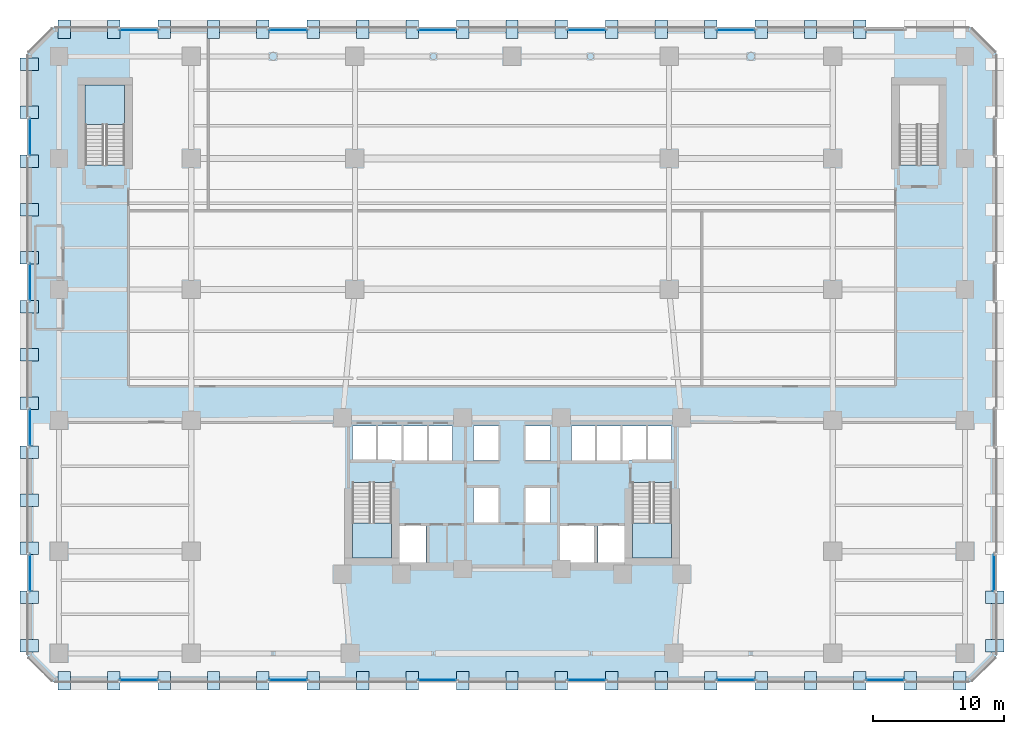
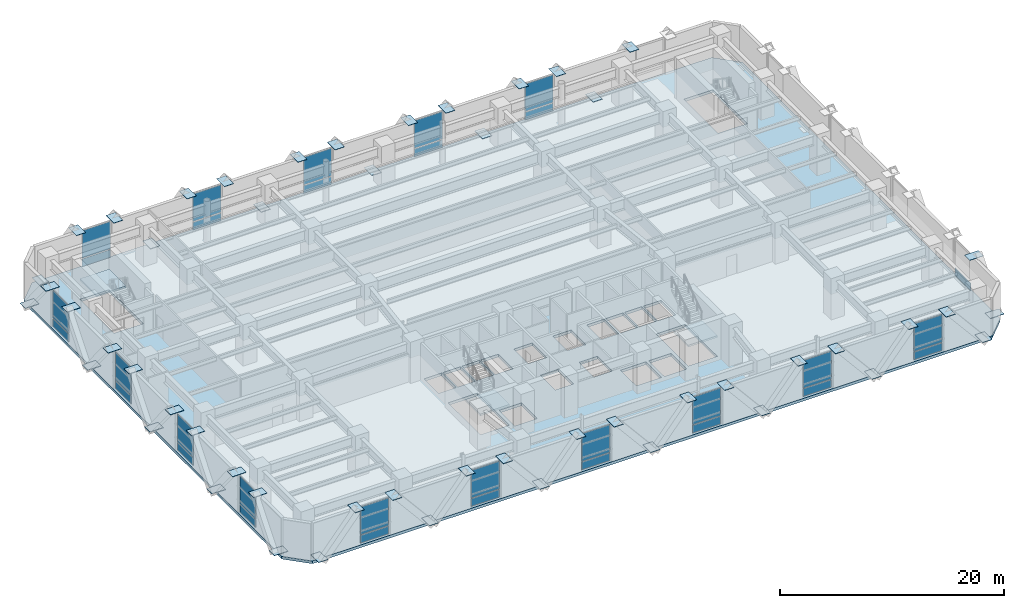
# One storey, part 12 of 26: 82 plates, 4 slabs, 19 elements without a shape of their own.
"""IFC4 building model written with IfcOpenShell, lengths in metres."""

import ifcopenshell
import ifcopenshell.guid

model = None  # the IFC model being written
_history = None  # IfcOwnerHistory: only IFC2X3 demands one
_inside = {}  # id of a spatial element -> (the spatial element, [elements in it])
_under = {}  # id of a project, library or spatial element -> (it, [spatial elements below it])
_declared = {}  # id of a project -> (the project, [libraries it declares])
_typed = {}  # id of a type object -> (the type object, [elements of that type])
_made_of = {}  # id of a material, layer set ... -> (it, [elements and type objects made of it])


def new_model(schema):
    """Start an empty IFC model of exactly this schema.

    Asked for "IFC4X3", IfcOpenShell would pick the latest addendum, in which some entities
    have other attributes; the version numbers below select the first issue.
    IFC2X3 requires an IfcOwnerHistory on every rooted entity: one is made here for all.
    """
    global model, _history
    if schema == "IFC4X3":
        model = ifcopenshell.file(schema_version=(4, 3, 0, 0))
    else:
        model = ifcopenshell.file(schema=schema)
    _inside.clear()
    _under.clear()
    _declared.clear()
    _typed.clear()
    _made_of.clear()
    _history = None
    if model.schema == "IFC2X3":
        org = make("IfcOrganization", Name="unknown")
        user = make(
            "IfcPersonAndOrganization",
            ThePerson=make("IfcPerson", FamilyName="unknown"),
            TheOrganization=org,
        )
        app = make(
            "IfcApplication",
            ApplicationDeveloper=org,
            Version="unknown",
            ApplicationFullName="unknown",
            ApplicationIdentifier="unknown",
        )
        _history = make(
            "IfcOwnerHistory",
            OwningUser=user,
            OwningApplication=app,
            ChangeAction="ADDED",
            CreationDate=0,
        )
    return model


def make(cls, **values):
    """One entity of the class cls with the attributes given. An attribute that is None is left unset."""
    return model.create_entity(
        cls, **{name: value for name, value in values.items() if value is not None}
    )


def rooted(cls, **values):
    """An entity with a GlobalId (a new one), such as an element, a storey or a relation."""
    return make(cls, GlobalId=ifcopenshell.guid.new(), OwnerHistory=_history, **values)


def si_unit(unit_type, name, prefix=None):
    """IfcSIUnit, for example si_unit("LENGTHUNIT", "METRE", prefix="MILLI")."""
    return make("IfcSIUnit", UnitType=unit_type, Prefix=prefix, Name=name)


def assignment(units):
    """IfcUnitAssignment: the units of a project."""
    return None if units is None else make("IfcUnitAssignment", Units=units)


def point(xyz):
    """IfcCartesianPoint."""
    return None if xyz is None else make("IfcCartesianPoint", Coordinates=xyz)


def direction(xyz):
    """IfcDirection."""
    return None if xyz is None else make("IfcDirection", DirectionRatios=xyz)


def frame(location, z_axis=None, x_axis=None):
    """IfcAxis2Placement3D, a coordinate frame: its origin and axes. An axis left out is left unset."""
    return make(
        "IfcAxis2Placement3D",
        Location=point(location),
        Axis=direction(z_axis),
        RefDirection=direction(x_axis),
    )


def frame_2d(location, x_axis=None):
    """IfcAxis2Placement2D, a coordinate frame in the plane: its origin and x axis."""
    return make(
        "IfcAxis2Placement2D", Location=point(location), RefDirection=direction(x_axis)
    )


def origin():
    """The frame at (0, 0, 0) with its axes left unset."""
    return frame((0.0, 0.0, 0.0))


def origin_2d():
    """The frame at (0, 0) in the plane with its x axis left unset."""
    return frame_2d((0.0, 0.0))


def place(relative_to, where):
    """IfcLocalPlacement: puts the frame where relative to a parent placement (None: the world)."""
    return make(
        "IfcLocalPlacement", PlacementRelTo=relative_to, RelativePlacement=where
    )


def context(
    kind, dimensions, precision=None, world=None, true_north=None, identifier=None
):
    """IfcGeometricRepresentationContext, for example the 3D "Model" context."""
    return make(
        "IfcGeometricRepresentationContext",
        ContextIdentifier=identifier,
        ContextType=kind,
        CoordinateSpaceDimension=dimensions,
        Precision=precision,
        WorldCoordinateSystem=world,
        TrueNorth=true_north,
    )


def subcontext(parent, identifier, kind, view, scale=None):
    """IfcGeometricRepresentationSubContext, for example "Body" below "Model"."""
    return make(
        "IfcGeometricRepresentationSubContext",
        ContextIdentifier=identifier,
        ContextType=kind,
        ParentContext=parent,
        TargetScale=scale,
        TargetView=view,
    )


def project(units=None, contexts=None):
    """IfcProject with its units and contexts."""
    return rooted(
        "IfcProject",
        Name="project",
        RepresentationContexts=contexts,
        UnitsInContext=assignment(units),
    )


def spatial(cls, under=None, at=None, **own):
    """A site, building, storey or space (cls), placed at a placement, below another one or the project."""
    s = rooted(cls, ObjectPlacement=at, **own)
    if under is not None:
        _under.setdefault(under.id(), (under, []))[1].append(s)
    return s


def polyline(points):
    """IfcPolyline through the points."""
    return make("IfcPolyline", Points=[point(p) for p in points])


def profile(cls, at=None, kind="AREA", **sizes):
    """A parametric profile (cls). Its sizes go by their IFC names, for example OverallWidth=200.0."""
    return make(cls, ProfileType=kind, Position=at, **sizes)


def rectangle(**sizes):
    """IfcRectangleProfileDef."""
    return profile("IfcRectangleProfileDef", **sizes)


def outline(outer, holes=None, kind="AREA"):
    """IfcArbitraryClosedProfileDef: a profile drawn as a closed curve; with holes, ...WithVoids."""
    if holes is None:
        return make("IfcArbitraryClosedProfileDef", ProfileType=kind, OuterCurve=outer)
    return make(
        "IfcArbitraryProfileDefWithVoids",
        ProfileType=kind,
        OuterCurve=outer,
        InnerCurves=holes,
    )


def extrude(swept, where, along, depth):
    """IfcExtrudedAreaSolid: the profile swept, set in the frame where, extruded along a direction by depth."""
    return make(
        "IfcExtrudedAreaSolid",
        SweptArea=swept,
        Position=where,
        ExtrudedDirection=direction(along),
        Depth=depth,
    )


def shape(context_of_items, identifier, shape_type, items):
    """IfcShapeRepresentation: the items that make up one representation, for example the "Body"."""
    return make(
        "IfcShapeRepresentation",
        ContextOfItems=context_of_items,
        RepresentationIdentifier=identifier,
        RepresentationType=shape_type,
        Items=items,
    )


def material(Name=None, Category=None):
    """IfcMaterial."""
    return make("IfcMaterial", Name=Name, Category=Category)


def layer(
    of_material, thickness, ventilated=None, Name=None, Category=None, Priority=None
):
    """IfcMaterialLayer: one layer of a wall or slab, of a material (None: an air gap)."""
    return make(
        "IfcMaterialLayer",
        Material=of_material,
        LayerThickness=thickness,
        IsVentilated=ventilated,
        Name=Name,
        Category=Category,
        Priority=Priority,
    )


def layer_set(layers, Name=None):
    """IfcMaterialLayerSet."""
    return make("IfcMaterialLayerSet", MaterialLayers=layers, LayerSetName=Name)


def made_of(thing, what):
    """Note that an element or type object is made of a material, layer set ...; save() writes the relation."""
    if what is not None:
        _made_of.setdefault(what.id(), (what, []))[1].append(thing)
    return thing


def type_object(cls, material=None, **own):
    """A type object (cls), such as IfcWallType, which elements share."""
    return made_of(rooted(cls, **own), material)


def element(
    cls,
    number,
    at=None,
    inside=None,
    cuts=None,
    type_object=None,
    material=None,
    context=None,
    identifier="Body",
    shape_type=None,
    held_by="IfcProductDefinitionShape",
    body=None,
    shapes=None,
    **own,
):
    """One element of the class cls, such as IfcWall. Its Tag is "e" and its number.

    at: its placement. inside: the storey or other place that contains it. cuts: it is an
    opening in that element (IfcRelVoidsElement). A single representation is given by context,
    identifier, shape_type and body (its items); several are given by shapes. held_by: the class
    of the entity that holds the representations. save() writes the other relations.
    """
    e = rooted(cls, Tag="e%d" % number, ObjectPlacement=at, **own)
    if body is not None:
        shapes = [shape(context, identifier, shape_type, body)]
    if shapes is not None:
        e.Representation = make(held_by, Representations=shapes)
    if inside is not None:
        _inside.setdefault(inside.id(), (inside, []))[1].append(e)
    if cuts is not None:
        rooted(
            "IfcRelVoidsElement", RelatingBuildingElement=cuts, RelatedOpeningElement=e
        )
    if type_object is not None:
        _typed.setdefault(type_object.id(), (type_object, []))[1].append(e)
    return made_of(e, material)


def aggregate(whole, parts):
    """IfcRelAggregates: a whole, such as a stair, and the parts it consists of."""
    return rooted("IfcRelAggregates", RelatingObject=whole, RelatedObjects=parts)


def save(model, path):
    """Write the relations noted so far, then the file.

    IfcRelAggregates (storeys below a building ...), IfcRelContainedInSpatialStructure (elements
    in a storey), IfcRelDefinesByType, IfcRelAssociatesMaterial and IfcRelDeclares: one each for
    every whole, place, type object, material and project.
    """
    for whole, parts in _under.values():
        aggregate(whole, parts)
    for where, things in _inside.values():
        rooted(
            "IfcRelContainedInSpatialStructure",
            RelatedElements=things,
            RelatingStructure=where,
        )
    for kind, things in _typed.values():
        rooted("IfcRelDefinesByType", RelatedObjects=things, RelatingType=kind)
    for what, things in _made_of.values():
        rooted("IfcRelAssociatesMaterial", RelatedObjects=things, RelatingMaterial=what)
    for by, libraries in _declared.values():
        rooted("IfcRelDeclares", RelatingContext=by, RelatedDefinitions=libraries)
    model.write(path)


model = new_model("IFC4")

# Units and contexts
model_context = context("Model", 3, precision=1e-05, world=origin(), true_north=direction((0.0, 1.0)))
body_context = subcontext(model_context, "Body", "Model", "MODEL_VIEW")
ifc_project = project(units=[si_unit("LENGTHUNIT", "METRE"), si_unit("AREAUNIT", "SQUARE_METRE"), si_unit("VOLUMEUNIT", "CUBIC_METRE"), si_unit("PLANEANGLEUNIT", "RADIAN"), si_unit("MASSUNIT", "GRAM", prefix="KILO")], contexts=[model_context])

# Site, building, storey
site_placement = place(None, origin())
site = spatial("IfcSite", under=ifc_project, at=site_placement, CompositionType="ELEMENT")
building_placement = place(site_placement, origin())
building = spatial("IfcBuilding", under=site, at=building_placement, Name="Quenlor Broadcast Tower", CompositionType="ELEMENT")
storey_placement = place(building_placement, frame((0.0, 0.0, 18.5)))
storey = spatial("IfcBuildingStorey", under=building, at=storey_placement, Name="L04", CompositionType="ELEMENT", Elevation=18.5)

# Curtain wall, plates
ifc_material_1 = material(Name="Architectural Terracotta and Low-E Glazing", Category="masonry")
curtain_wall_type = type_object("IfcCurtainWallType", Name="Station Concourse and Crown Terracotta Curtain Wall", PredefinedType="NOTDEFINED", material=ifc_material_1)
curtain_wall_1_placement = place(storey_placement, origin())
curtain_wall_1 = element("IfcCurtainWall", 1, at=curtain_wall_1_placement, inside=storey, type_object=curtain_wall_type, Name="L04 Curtain Wall CW6 (L04-S-FULL-G1)", PredefinedType="NOTDEFINED")
ifc_material_2 = material(Name="Double Glazed Low-E Solar Glass", Category="glass")
ifc_layer_1 = layer(ifc_material_2, 0.033935546875)
ifc_layer_set_1 = layer_set([ifc_layer_1], Name="CW6 Double Glazed Vision Panel 34")
plate_type_1 = type_object("IfcPlateType", Name="CW6 Double Glazed Vision Panel 34", PredefinedType="CURTAIN_PANEL", material=ifc_layer_set_1)
plate_1_placement = place(storey_placement, frame((28.5, -24.820068359375, 0.08203125), z_axis=(0.0, 0.0, 1.0), x_axis=(-1.0, 0.0, 0.0)))
plate_1 = element("IfcPlate", 2, at=plate_1_placement, type_object=plate_type_1, Name="CW6 panel 1.1", PredefinedType="CURTAIN_PANEL", context=body_context, shape_type="SweptSolid", body=[
    extrude(rectangle(XDim=2.90576171875, YDim=0.033935546875, at=origin_2d()), origin(), (0.0, 0.0, 1.0), 0.826904296875),
])
plate_2_placement = place(storey_placement, frame((28.5, -24.820068359375, 0.99072265625), z_axis=(0.0, 0.0, 1.0), x_axis=(-1.0, 0.0, 0.0)))
plate_2 = element("IfcPlate", 3, at=plate_2_placement, type_object=plate_type_1, Name="CW6 panel 1.2", PredefinedType="CURTAIN_PANEL", context=body_context, shape_type="SweptSolid", body=[
    extrude(rectangle(XDim=2.90576171875, YDim=0.033935546875, at=origin_2d()), origin(), (0.0, 0.0, 1.0), 3.007080078125),
])
aggregate(curtain_wall_1, [plate_1, plate_2])

curtain_wall_2_placement = place(storey_placement, origin())
curtain_wall_2 = element("IfcCurtainWall", 4, at=curtain_wall_2_placement, inside=storey, type_object=curtain_wall_type, Name="L04 Curtain Wall CW6 (L04-S-FULL-G2)", PredefinedType="NOTDEFINED")
plate_3_placement = place(storey_placement, frame((17.10009765625, -24.820068359375, 0.08203125), z_axis=(0.0, 0.0, 1.0), x_axis=(-1.0, 0.0, 0.0)))
plate_3 = element("IfcPlate", 5, at=plate_3_placement, type_object=plate_type_1, Name="CW6 panel 1.1", PredefinedType="CURTAIN_PANEL", context=body_context, shape_type="SweptSolid", body=[
    extrude(rectangle(XDim=2.90576171875, YDim=0.033935546875, at=origin_2d()), origin(), (0.0, 0.0, 1.0), 0.826904296875),
])
plate_4_placement = place(storey_placement, frame((17.10009765625, -24.820068359375, 0.99072265625), z_axis=(0.0, 0.0, 1.0), x_axis=(-1.0, 0.0, 0.0)))
plate_4 = element("IfcPlate", 6, at=plate_4_placement, type_object=plate_type_1, Name="CW6 panel 1.2", PredefinedType="CURTAIN_PANEL", context=body_context, shape_type="SweptSolid", body=[
    extrude(rectangle(XDim=2.90576171875, YDim=0.033935546875, at=origin_2d()), origin(), (0.0, 0.0, 1.0), 3.007080078125),
])
aggregate(curtain_wall_2, [plate_3, plate_4])

curtain_wall_3_placement = place(storey_placement, origin())
curtain_wall_3 = element("IfcCurtainWall", 7, at=curtain_wall_3_placement, inside=storey, type_object=curtain_wall_type, Name="L04 Curtain Wall CW6 (L04-S-FULL-G3)", PredefinedType="NOTDEFINED")
plate_5_placement = place(storey_placement, frame((5.699951171875, -24.820068359375, 0.08203125), z_axis=(0.0, 0.0, 1.0), x_axis=(-1.0, 0.0, 0.0)))
plate_5 = element("IfcPlate", 8, at=plate_5_placement, type_object=plate_type_1, Name="CW6 panel 1.1", PredefinedType="CURTAIN_PANEL", context=body_context, shape_type="SweptSolid", body=[
    extrude(rectangle(XDim=2.90576171875, YDim=0.033935546875, at=origin_2d()), origin(), (0.0, 0.0, 1.0), 0.826904296875),
])
plate_6_placement = place(storey_placement, frame((5.699951171875, -24.820068359375, 0.99072265625), z_axis=(0.0, 0.0, 1.0), x_axis=(-1.0, 0.0, 0.0)))
plate_6 = element("IfcPlate", 9, at=plate_6_placement, type_object=plate_type_1, Name="CW6 panel 1.2", PredefinedType="CURTAIN_PANEL", context=body_context, shape_type="SweptSolid", body=[
    extrude(rectangle(XDim=2.90576171875, YDim=0.033935546875, at=origin_2d()), origin(), (0.0, 0.0, 1.0), 3.007080078125),
])
aggregate(curtain_wall_3, [plate_5, plate_6])

curtain_wall_4_placement = place(storey_placement, origin())
curtain_wall_4 = element("IfcCurtainWall", 10, at=curtain_wall_4_placement, inside=storey, type_object=curtain_wall_type, Name="L04 Curtain Wall CW6 (L04-S-FULL-G4)", PredefinedType="NOTDEFINED")
plate_7_placement = place(storey_placement, frame((-5.699951171875, -24.820068359375, 0.08203125), z_axis=(0.0, 0.0, 1.0), x_axis=(-1.0, 0.0, 0.0)))
plate_7 = element("IfcPlate", 11, at=plate_7_placement, type_object=plate_type_1, Name="CW6 panel 1.1", PredefinedType="CURTAIN_PANEL", context=body_context, shape_type="SweptSolid", body=[
    extrude(rectangle(XDim=2.90576171875, YDim=0.033935546875, at=origin_2d()), origin(), (0.0, 0.0, 1.0), 0.826904296875),
])
plate_8_placement = place(storey_placement, frame((-5.699951171875, -24.820068359375, 0.99072265625), z_axis=(0.0, 0.0, 1.0), x_axis=(-1.0, 0.0, 0.0)))
plate_8 = element("IfcPlate", 12, at=plate_8_placement, type_object=plate_type_1, Name="CW6 panel 1.2", PredefinedType="CURTAIN_PANEL", context=body_context, shape_type="SweptSolid", body=[
    extrude(rectangle(XDim=2.90576171875, YDim=0.033935546875, at=origin_2d()), origin(), (0.0, 0.0, 1.0), 3.007080078125),
])
aggregate(curtain_wall_4, [plate_7, plate_8])

curtain_wall_5_placement = place(storey_placement, origin())
curtain_wall_5 = element("IfcCurtainWall", 13, at=curtain_wall_5_placement, inside=storey, type_object=curtain_wall_type, Name="L04 Curtain Wall CW6 (L04-S-FULL-G5)", PredefinedType="NOTDEFINED")
plate_9_placement = place(storey_placement, frame((-17.10009765625, -24.820068359375, 0.08203125), z_axis=(0.0, 0.0, 1.0), x_axis=(-1.0, 0.0, 0.0)))
plate_9 = element("IfcPlate", 14, at=plate_9_placement, type_object=plate_type_1, Name="CW6 panel 1.1", PredefinedType="CURTAIN_PANEL", context=body_context, shape_type="SweptSolid", body=[
    extrude(rectangle(XDim=2.90576171875, YDim=0.033935546875, at=origin_2d()), origin(), (0.0, 0.0, 1.0), 0.826904296875),
])
plate_10_placement = place(storey_placement, frame((-17.10009765625, -24.820068359375, 0.99072265625), z_axis=(0.0, 0.0, 1.0), x_axis=(-1.0, 0.0, 0.0)))
plate_10 = element("IfcPlate", 15, at=plate_10_placement, type_object=plate_type_1, Name="CW6 panel 1.2", PredefinedType="CURTAIN_PANEL", context=body_context, shape_type="SweptSolid", body=[
    extrude(rectangle(XDim=2.90576171875, YDim=0.033935546875, at=origin_2d()), origin(), (0.0, 0.0, 1.0), 3.007080078125),
])
aggregate(curtain_wall_5, [plate_9, plate_10])

curtain_wall_6_placement = place(storey_placement, origin())
curtain_wall_6 = element("IfcCurtainWall", 16, at=curtain_wall_6_placement, inside=storey, type_object=curtain_wall_type, Name="L04 Curtain Wall CW6 (L04-S-FULL-G6)", PredefinedType="NOTDEFINED")
plate_11_placement = place(storey_placement, frame((-28.5, -24.820068359375, 0.08203125), z_axis=(0.0, 0.0, 1.0), x_axis=(-1.0, 0.0, 0.0)))
plate_11 = element("IfcPlate", 17, at=plate_11_placement, type_object=plate_type_1, Name="CW6 panel 1.1", PredefinedType="CURTAIN_PANEL", context=body_context, shape_type="SweptSolid", body=[
    extrude(rectangle(XDim=2.90576171875, YDim=0.033935546875, at=origin_2d()), origin(), (0.0, 0.0, 1.0), 0.826904296875),
])
plate_12_placement = place(storey_placement, frame((-28.5, -24.820068359375, 0.99072265625), z_axis=(0.0, 0.0, 1.0), x_axis=(-1.0, 0.0, 0.0)))
plate_12 = element("IfcPlate", 18, at=plate_12_placement, type_object=plate_type_1, Name="CW6 panel 1.2", PredefinedType="CURTAIN_PANEL", context=body_context, shape_type="SweptSolid", body=[
    extrude(rectangle(XDim=2.90576171875, YDim=0.033935546875, at=origin_2d()), origin(), (0.0, 0.0, 1.0), 3.007080078125),
])
aggregate(curtain_wall_6, [plate_11, plate_12])

curtain_wall_7_placement = place(storey_placement, origin())
curtain_wall_7 = element("IfcCurtainWall", 19, at=curtain_wall_7_placement, inside=storey, type_object=curtain_wall_type, Name="L04 Curtain Wall CW6 (L04-N-FULL-G1)", PredefinedType="NOTDEFINED")
plate_13_placement = place(storey_placement, frame((-28.5, 24.820068359375, 0.08203125), z_axis=(0.0, 0.0, 1.0), x_axis=(1.0, 0.0, 0.0)))
plate_13 = element("IfcPlate", 20, at=plate_13_placement, type_object=plate_type_1, Name="CW6 panel 1.1", PredefinedType="CURTAIN_PANEL", context=body_context, shape_type="SweptSolid", body=[
    extrude(rectangle(XDim=2.90576171875, YDim=0.033935546875, at=origin_2d()), origin(), (0.0, 0.0, 1.0), 0.826904296875),
])
plate_14_placement = place(storey_placement, frame((-28.5, 24.820068359375, 0.99072265625), z_axis=(0.0, 0.0, 1.0), x_axis=(1.0, 0.0, 0.0)))
plate_14 = element("IfcPlate", 21, at=plate_14_placement, type_object=plate_type_1, Name="CW6 panel 1.2", PredefinedType="CURTAIN_PANEL", context=body_context, shape_type="SweptSolid", body=[
    extrude(rectangle(XDim=2.90576171875, YDim=0.033935546875, at=origin_2d()), origin(), (0.0, 0.0, 1.0), 3.007080078125),
])
aggregate(curtain_wall_7, [plate_13, plate_14])

curtain_wall_8_placement = place(storey_placement, origin())
curtain_wall_8 = element("IfcCurtainWall", 22, at=curtain_wall_8_placement, inside=storey, type_object=curtain_wall_type, Name="L04 Curtain Wall CW6 (L04-N-FULL-G2)", PredefinedType="NOTDEFINED")
plate_15_placement = place(storey_placement, frame((-17.10009765625, 24.820068359375, 0.08203125), z_axis=(0.0, 0.0, 1.0), x_axis=(1.0, 0.0, 0.0)))
plate_15 = element("IfcPlate", 23, at=plate_15_placement, type_object=plate_type_1, Name="CW6 panel 1.1", PredefinedType="CURTAIN_PANEL", context=body_context, shape_type="SweptSolid", body=[
    extrude(rectangle(XDim=2.90576171875, YDim=0.033935546875, at=origin_2d()), origin(), (0.0, 0.0, 1.0), 0.826904296875),
])
plate_16_placement = place(storey_placement, frame((-17.10009765625, 24.820068359375, 0.99072265625), z_axis=(0.0, 0.0, 1.0), x_axis=(1.0, 0.0, 0.0)))
plate_16 = element("IfcPlate", 24, at=plate_16_placement, type_object=plate_type_1, Name="CW6 panel 1.2", PredefinedType="CURTAIN_PANEL", context=body_context, shape_type="SweptSolid", body=[
    extrude(rectangle(XDim=2.90576171875, YDim=0.033935546875, at=origin_2d()), origin(), (0.0, 0.0, 1.0), 3.007080078125),
])
aggregate(curtain_wall_8, [plate_15, plate_16])

curtain_wall_9_placement = place(storey_placement, origin())
curtain_wall_9 = element("IfcCurtainWall", 25, at=curtain_wall_9_placement, inside=storey, type_object=curtain_wall_type, Name="L04 Curtain Wall CW6 (L04-N-FULL-G3)", PredefinedType="NOTDEFINED")
plate_17_placement = place(storey_placement, frame((-5.699951171875, 24.820068359375, 0.08203125), z_axis=(0.0, 0.0, 1.0), x_axis=(1.0, 0.0, 0.0)))
plate_17 = element("IfcPlate", 26, at=plate_17_placement, type_object=plate_type_1, Name="CW6 panel 1.1", PredefinedType="CURTAIN_PANEL", context=body_context, shape_type="SweptSolid", body=[
    extrude(rectangle(XDim=2.90576171875, YDim=0.033935546875, at=origin_2d()), origin(), (0.0, 0.0, 1.0), 0.826904296875),
])
plate_18_placement = place(storey_placement, frame((-5.699951171875, 24.820068359375, 0.99072265625), z_axis=(0.0, 0.0, 1.0), x_axis=(1.0, 0.0, 0.0)))
plate_18 = element("IfcPlate", 27, at=plate_18_placement, type_object=plate_type_1, Name="CW6 panel 1.2", PredefinedType="CURTAIN_PANEL", context=body_context, shape_type="SweptSolid", body=[
    extrude(rectangle(XDim=2.90576171875, YDim=0.033935546875, at=origin_2d()), origin(), (0.0, 0.0, 1.0), 3.007080078125),
])
aggregate(curtain_wall_9, [plate_17, plate_18])

curtain_wall_10_placement = place(storey_placement, origin())
curtain_wall_10 = element("IfcCurtainWall", 28, at=curtain_wall_10_placement, inside=storey, type_object=curtain_wall_type, Name="L04 Curtain Wall CW6 (L04-N-FULL-G4)", PredefinedType="NOTDEFINED")
plate_19_placement = place(storey_placement, frame((5.699951171875, 24.820068359375, 0.08203125), z_axis=(0.0, 0.0, 1.0), x_axis=(1.0, 0.0, 0.0)))
plate_19 = element("IfcPlate", 29, at=plate_19_placement, type_object=plate_type_1, Name="CW6 panel 1.1", PredefinedType="CURTAIN_PANEL", context=body_context, shape_type="SweptSolid", body=[
    extrude(rectangle(XDim=2.90576171875, YDim=0.033935546875, at=origin_2d()), origin(), (0.0, 0.0, 1.0), 0.826904296875),
])
plate_20_placement = place(storey_placement, frame((5.699951171875, 24.820068359375, 0.99072265625), z_axis=(0.0, 0.0, 1.0), x_axis=(1.0, 0.0, 0.0)))
plate_20 = element("IfcPlate", 30, at=plate_20_placement, type_object=plate_type_1, Name="CW6 panel 1.2", PredefinedType="CURTAIN_PANEL", context=body_context, shape_type="SweptSolid", body=[
    extrude(rectangle(XDim=2.90576171875, YDim=0.033935546875, at=origin_2d()), origin(), (0.0, 0.0, 1.0), 3.007080078125),
])
aggregate(curtain_wall_10, [plate_19, plate_20])

curtain_wall_11_placement = place(storey_placement, origin())
curtain_wall_11 = element("IfcCurtainWall", 31, at=curtain_wall_11_placement, inside=storey, type_object=curtain_wall_type, Name="L04 Curtain Wall CW6 (L04-N-FULL-G5)", PredefinedType="NOTDEFINED")
plate_21_placement = place(storey_placement, frame((17.10009765625, 24.820068359375, 0.08203125), z_axis=(0.0, 0.0, 1.0), x_axis=(1.0, 0.0, 0.0)))
plate_21 = element("IfcPlate", 32, at=plate_21_placement, type_object=plate_type_1, Name="CW6 panel 1.1", PredefinedType="CURTAIN_PANEL", context=body_context, shape_type="SweptSolid", body=[
    extrude(rectangle(XDim=2.90576171875, YDim=0.033935546875, at=origin_2d()), origin(), (0.0, 0.0, 1.0), 0.826904296875),
])
plate_22_placement = place(storey_placement, frame((17.10009765625, 24.820068359375, 0.99072265625), z_axis=(0.0, 0.0, 1.0), x_axis=(1.0, 0.0, 0.0)))
plate_22 = element("IfcPlate", 33, at=plate_22_placement, type_object=plate_type_1, Name="CW6 panel 1.2", PredefinedType="CURTAIN_PANEL", context=body_context, shape_type="SweptSolid", body=[
    extrude(rectangle(XDim=2.90576171875, YDim=0.033935546875, at=origin_2d()), origin(), (0.0, 0.0, 1.0), 3.007080078125),
])
aggregate(curtain_wall_11, [plate_21, plate_22])

curtain_wall_12_placement = place(storey_placement, origin())
curtain_wall_12 = element("IfcCurtainWall", 34, at=curtain_wall_12_placement, inside=storey, type_object=curtain_wall_type, Name="L04 Curtain Wall CW6 (L04-W-FULL-G1)", PredefinedType="NOTDEFINED")
plate_23_placement = place(storey_placement, frame((-36.820068359375, -16.64990234375, 0.08203125), z_axis=(0.0, 0.0, 1.0), x_axis=(0.0, 1.0, 0.0)))
plate_23 = element("IfcPlate", 35, at=plate_23_placement, type_object=plate_type_1, Name="CW6 panel 1.1", PredefinedType="CURTAIN_PANEL", context=body_context, shape_type="SweptSolid", body=[
    extrude(rectangle(XDim=2.80517578125, YDim=0.033935546875, at=origin_2d()), origin(), (0.0, 0.0, 1.0), 0.826904296875),
])
plate_24_placement = place(storey_placement, frame((-36.820068359375, -16.64990234375, 0.99072265625), z_axis=(0.0, 0.0, 1.0), x_axis=(0.0, 1.0, 0.0)))
plate_24 = element("IfcPlate", 36, at=plate_24_placement, type_object=plate_type_1, Name="CW6 panel 1.2", PredefinedType="CURTAIN_PANEL", context=body_context, shape_type="SweptSolid", body=[
    extrude(rectangle(XDim=2.80517578125, YDim=0.033935546875, at=origin_2d()), origin(), (0.0, 0.0, 1.0), 3.007080078125),
])
aggregate(curtain_wall_12, [plate_23, plate_24])

curtain_wall_13_placement = place(storey_placement, origin())
curtain_wall_13 = element("IfcCurtainWall", 37, at=curtain_wall_13_placement, inside=storey, type_object=curtain_wall_type, Name="L04 Curtain Wall CW6 (L04-W-FULL-G2)", PredefinedType="NOTDEFINED")
plate_25_placement = place(storey_placement, frame((-36.820068359375, -5.550048828125, 0.08203125), z_axis=(0.0, 0.0, 1.0), x_axis=(0.0, 1.0, 0.0)))
plate_25 = element("IfcPlate", 38, at=plate_25_placement, type_object=plate_type_1, Name="CW6 panel 1.1", PredefinedType="CURTAIN_PANEL", context=body_context, shape_type="SweptSolid", body=[
    extrude(rectangle(XDim=2.80517578125, YDim=0.033935546875, at=origin_2d()), origin(), (0.0, 0.0, 1.0), 0.826904296875),
])
plate_26_placement = place(storey_placement, frame((-36.820068359375, -5.550048828125, 0.99072265625), z_axis=(0.0, 0.0, 1.0), x_axis=(0.0, 1.0, 0.0)))
plate_26 = element("IfcPlate", 39, at=plate_26_placement, type_object=plate_type_1, Name="CW6 panel 1.2", PredefinedType="CURTAIN_PANEL", context=body_context, shape_type="SweptSolid", body=[
    extrude(rectangle(XDim=2.80517578125, YDim=0.033935546875, at=origin_2d()), origin(), (0.0, 0.0, 1.0), 3.007080078125),
])
aggregate(curtain_wall_13, [plate_25, plate_26])

curtain_wall_14_placement = place(storey_placement, origin())
curtain_wall_14 = element("IfcCurtainWall", 40, at=curtain_wall_14_placement, inside=storey, type_object=curtain_wall_type, Name="L04 Curtain Wall CW6 (L04-W-FULL-G3)", PredefinedType="NOTDEFINED")
plate_27_placement = place(storey_placement, frame((-36.820068359375, 5.550048828125, 0.08203125), z_axis=(0.0, 0.0, 1.0), x_axis=(0.0, 1.0, 0.0)))
plate_27 = element("IfcPlate", 41, at=plate_27_placement, type_object=plate_type_1, Name="CW6 panel 1.1", PredefinedType="CURTAIN_PANEL", context=body_context, shape_type="SweptSolid", body=[
    extrude(rectangle(XDim=2.80517578125, YDim=0.033935546875, at=origin_2d()), origin(), (0.0, 0.0, 1.0), 0.826904296875),
])
plate_28_placement = place(storey_placement, frame((-36.820068359375, 5.550048828125, 0.99072265625), z_axis=(0.0, 0.0, 1.0), x_axis=(0.0, 1.0, 0.0)))
plate_28 = element("IfcPlate", 42, at=plate_28_placement, type_object=plate_type_1, Name="CW6 panel 1.2", PredefinedType="CURTAIN_PANEL", context=body_context, shape_type="SweptSolid", body=[
    extrude(rectangle(XDim=2.80517578125, YDim=0.033935546875, at=origin_2d()), origin(), (0.0, 0.0, 1.0), 3.007080078125),
])
aggregate(curtain_wall_14, [plate_27, plate_28])

curtain_wall_15_placement = place(storey_placement, origin())
curtain_wall_15 = element("IfcCurtainWall", 43, at=curtain_wall_15_placement, inside=storey, type_object=curtain_wall_type, Name="L04 Curtain Wall CW6 (L04-W-FULL-G4)", PredefinedType="NOTDEFINED")
plate_29_placement = place(storey_placement, frame((-36.820068359375, 16.64990234375, 0.08203125), z_axis=(0.0, 0.0, 1.0), x_axis=(0.0, 1.0, 0.0)))
plate_29 = element("IfcPlate", 44, at=plate_29_placement, type_object=plate_type_1, Name="CW6 panel 1.1", PredefinedType="CURTAIN_PANEL", context=body_context, shape_type="SweptSolid", body=[
    extrude(rectangle(XDim=2.80517578125, YDim=0.033935546875, at=origin_2d()), origin(), (0.0, 0.0, 1.0), 0.826904296875),
])
plate_30_placement = place(storey_placement, frame((-36.820068359375, 16.64990234375, 0.99072265625), z_axis=(0.0, 0.0, 1.0), x_axis=(0.0, 1.0, 0.0)))
plate_30 = element("IfcPlate", 45, at=plate_30_placement, type_object=plate_type_1, Name="CW6 panel 1.2", PredefinedType="CURTAIN_PANEL", context=body_context, shape_type="SweptSolid", body=[
    extrude(rectangle(XDim=2.80517578125, YDim=0.033935546875, at=origin_2d()), origin(), (0.0, 0.0, 1.0), 3.007080078125),
])
aggregate(curtain_wall_15, [plate_29, plate_30])

# Curtain wall, plate
curtain_wall_16_placement = place(storey_placement, origin())
curtain_wall_16 = element("IfcCurtainWall", 46, at=curtain_wall_16_placement, inside=storey, type_object=curtain_wall_type, Name="L04 Curtain Wall CW6 (L04-E-FULL-G4)", PredefinedType="NOTDEFINED")
plate_31_placement = place(storey_placement, frame((36.820068359375, -16.64990234375, 0.08203125), z_axis=(0.0, 0.0, 1.0), x_axis=(0.0, -1.0, 0.0)))
plate_31 = element("IfcPlate", 47, at=plate_31_placement, type_object=plate_type_1, Name="CW6 panel 1.1", PredefinedType="CURTAIN_PANEL", context=body_context, shape_type="SweptSolid", body=[
    extrude(rectangle(XDim=2.80517578125, YDim=0.033935546875, at=origin_2d()), origin(), (0.0, 0.0, 1.0), 0.826904296875),
])
aggregate(curtain_wall_16, [plate_31])

# Stair, slab
ifc_material_3 = material(Name="Precast concrete C40/50", Category="concrete")
stair_type = type_object("IfcStairType", Name="Precast Concrete C40/50 Dogleg Stair H450", PredefinedType="HALF_TURN_STAIR", material=ifc_material_3)
stair_1_placement = place(storey_placement, origin())
stair_1 = element("IfcStair", 48, at=stair_1_placement, inside=storey, type_object=stair_type, Name="L04 West Core Fire-Isolated Exit Stair ST-1", PredefinedType="HALF_TURN_STAIR")
ifc_material_4 = material(Name="Precast concrete C40/50", Category="concrete")
ifc_layer_2 = layer(ifc_material_4, 0.199951171875)
ifc_layer_set_2 = layer_set([ifc_layer_2], Name="Precast Concrete C40/50 Stair Landing Slab 200")
slab_type_1 = type_object("IfcSlabType", Name="Precast Concrete C40/50 Stair Landing Slab 200", PredefinedType="LANDING", material=ifc_layer_set_2)
slab_1_placement = place(storey_placement, frame((0.0, 0.0, 2.050048828125)))
slab_1 = element("IfcSlab", 49, at=slab_1_placement, type_object=slab_type_1, Name="ST-1 landing 1", PredefinedType="LANDING", context=body_context, shape_type="SweptSolid", body=[
    extrude(outline(polyline([(-12.199951171875, -12.830078125), (-12.199951171875, -15.5), (-9.199951171875, -15.5), (-9.199951171875, -12.830078125), (-12.199951171875, -12.830078125)])), origin(), (0.0, 0.0, 1.0), 0.199951171875),
])
aggregate(stair_1, [slab_1])

stair_2_placement = place(storey_placement, origin())
stair_2 = element("IfcStair", 50, at=stair_2_placement, inside=storey, type_object=stair_type, Name="L04 East Core Fire-Isolated Exit Stair ST-2", PredefinedType="HALF_TURN_STAIR")
slab_2_placement = place(storey_placement, frame((0.0, 0.0, 2.050048828125)))
slab_2 = element("IfcSlab", 51, at=slab_2_placement, type_object=slab_type_1, Name="ST-2 landing 1", PredefinedType="LANDING", context=body_context, shape_type="SweptSolid", body=[
    extrude(outline(polyline([(9.199951171875, -12.830078125), (9.199951171875, -15.5), (12.199951171875, -15.5), (12.199951171875, -12.830078125), (9.199951171875, -12.830078125)])), origin(), (0.0, 0.0, 1.0), 0.199951171875),
])
aggregate(stair_2, [slab_2])

stair_3_placement = place(storey_placement, origin())
stair_3 = element("IfcStair", 52, at=stair_3_placement, inside=storey, type_object=stair_type, Name="L04 Station Podium North-West Exit Stair ST-3", PredefinedType="HALF_TURN_STAIR")
slab_3_placement = place(storey_placement, frame((0.0, 0.0, 2.050048828125)))
slab_3 = element("IfcSlab", 53, at=slab_3_placement, type_object=slab_type_1, Name="ST-3 landing 1", PredefinedType="LANDING", context=body_context, shape_type="SweptSolid", body=[
    extrude(outline(polyline([(-29.60009765625, 17.580078125), (-29.60009765625, 20.60009765625), (-32.60009765625, 20.60009765625), (-32.60009765625, 17.580078125), (-29.60009765625, 17.580078125)])), origin(), (0.0, 0.0, 1.0), 0.199951171875),
])
aggregate(stair_3, [slab_3])

# Slab
ifc_material_5 = material(Name="Concrete C50/60", Category="concrete")
ifc_layer_3 = layer(ifc_material_5, 0.300048828125)
ifc_layer_set_3 = layer_set([ifc_layer_3], Name="Station Podium Concrete C50/60 Slab 300")
slab_type_2 = type_object("IfcSlabType", Name="Station Podium Concrete C50/60 Slab 300", PredefinedType="FLOOR", material=ifc_layer_set_3)
slab_4_placement = place(storey_placement, frame((0.0, 0.0, -0.300048828125)))
element("IfcSlab", 54, at=slab_4_placement, inside=storey, type_object=slab_type_2, Name="L04 Structural Floor Slab", PredefinedType="FLOOR", context=body_context, shape_type="SweptSolid", body=[
    extrude(outline(polyline([(-35.0, -25.0), (35.0, -25.0), (37.0, -23.0), (37.0, 23.0), (35.0, 25.0), (-35.0, 25.0), (-37.0, 23.0), (-37.0, -23.0), (-35.0, -25.0)]), holes=[polyline([(-12.199951171875, -9.758056640625), (-12.199951171875, -15.5), (-9.199951171875, -15.5), (-9.199951171875, -9.758056640625), (-12.199951171875, -9.758056640625)]), polyline([(9.199951171875, -9.758056640625), (9.199951171875, -15.5), (12.199951171875, -15.5), (12.199951171875, -9.758056640625), (9.199951171875, -9.758056640625)]), polyline([(-29.60009765625, 14.508056640625), (-29.60009765625, 20.60009765625), (-32.60009765625, 20.60009765625), (-32.60009765625, 14.508056640625), (-29.60009765625, 14.508056640625)]), polyline([(32.60009765625, 14.508056640625), (32.60009765625, 20.60009765625), (29.60009765625, 20.60009765625), (29.60009765625, 14.508056640625), (32.60009765625, 14.508056640625)]), polyline([(-12.199951171875, -8.050048828125), (-10.39990234375, -8.050048828125), (-10.39990234375, -5.449951171875), (-12.199951171875, -5.449951171875), (-12.199951171875, -8.050048828125)]), polyline([(-10.25, -8.050048828125), (-8.449951171875, -8.050048828125), (-8.449951171875, -5.449951171875), (-10.25, -5.449951171875), (-10.25, -8.050048828125)]), polyline([(-8.300048828125, -8.050048828125), (-6.5, -8.050048828125), (-6.5, -5.449951171875), (-8.300048828125, -5.449951171875), (-8.300048828125, -8.050048828125)]), polyline([(-6.35009765625, -8.050048828125), (-4.550048828125, -8.050048828125), (-4.550048828125, -5.449951171875), (-6.35009765625, -5.449951171875), (-6.35009765625, -8.050048828125)]), polyline([(-2.949951171875, -8.050048828125), (-1.050048828125, -8.050048828125), (-1.050048828125, -5.449951171875), (-2.949951171875, -5.449951171875), (-2.949951171875, -8.050048828125)]), polyline([(1.050048828125, -8.050048828125), (2.949951171875, -8.050048828125), (2.949951171875, -5.449951171875), (1.050048828125, -5.449951171875), (1.050048828125, -8.050048828125)]), polyline([(-2.949951171875, -12.800048828125), (-1.050048828125, -12.800048828125), (-1.050048828125, -10.14990234375), (-2.949951171875, -10.14990234375), (-2.949951171875, -12.800048828125)]), polyline([(1.050048828125, -12.800048828125), (2.949951171875, -12.800048828125), (2.949951171875, -10.14990234375), (1.050048828125, -10.14990234375), (1.050048828125, -12.800048828125)]), polyline([(4.550048828125, -8.050048828125), (6.35009765625, -8.050048828125), (6.35009765625, -5.449951171875), (4.550048828125, -5.449951171875), (4.550048828125, -8.050048828125)]), polyline([(6.5, -8.050048828125), (8.300048828125, -8.050048828125), (8.300048828125, -5.449951171875), (6.5, -5.449951171875), (6.5, -8.050048828125)]), polyline([(8.449951171875, -8.050048828125), (10.25, -8.050048828125), (10.25, -5.449951171875), (8.449951171875, -5.449951171875), (8.449951171875, -8.050048828125)]), polyline([(10.39990234375, -8.050048828125), (12.199951171875, -8.050048828125), (12.199951171875, -5.449951171875), (10.39990234375, -5.449951171875), (10.39990234375, -8.050048828125)]), polyline([(-8.85009765625, -15.85009765625), (-6.550048828125, -15.85009765625), (-6.550048828125, -13.050048828125), (-8.85009765625, -13.050048828125), (-8.85009765625, -15.85009765625)]), polyline([(6.550048828125, -15.85009765625), (8.85009765625, -15.85009765625), (8.85009765625, -13.050048828125), (6.550048828125, -13.050048828125), (6.550048828125, -15.85009765625)]), polyline([(3.64990234375, -15.85009765625), (6.25, -15.85009765625), (6.25, -13.050048828125), (3.64990234375, -13.050048828125), (3.64990234375, -15.85009765625)])]), origin(), (0.0, 0.0, 1.0), 0.300048828125),
])

# Plates
ifc_material_6 = material(Name="Steel S355", Category="steel")
ifc_layer_4 = layer(ifc_material_6, 0.035888671875)
ifc_layer_set_4 = layer_set([ifc_layer_4], Name="Transfer Truss Steel S355 Gusset Node Plate 1400x950x36")
plate_type_2 = type_object("IfcPlateType", Name="Transfer Truss Steel S355 Gusset Node Plate 1400x950x36", PredefinedType="SHEET", material=ifc_layer_set_4)
for number, where, z_axis, x_axis, name in (
    (55, (34.199951171875, -24.8798828125, 0.0419921875), (0.0, 0.0, 1.0), (0.0, -1.0, 0.0), "L04 Podium Lattice Tie Gusset S-B0"),
    (56, (30.4228515625, -24.8798828125, 4.14208984375), (0.0, 0.0, 1.0), (0.0, -1.0, 0.0), "L04 Podium Lattice Tie Gusset S-T1"),
    (57, (22.800048828125, -24.8798828125, 0.0419921875), (0.0, 0.0, 1.0), (0.0, -1.0, 0.0), "L04 Podium Lattice Tie Gusset S-B3"),
    (58, (26.5771484375, -24.8798828125, 4.14208984375), (0.0, 0.0, 1.0), (0.0, -1.0, 0.0), "L04 Podium Lattice Tie Gusset S-T2"),
    (59, (19.022705078125, -24.8798828125, 4.14208984375), (0.0, 0.0, 1.0), (0.0, -1.0, 0.0), "L04 Podium Lattice Tie Gusset S-T4"),
    (60, (11.39990234375, -24.8798828125, 0.0419921875), (0.0, 0.0, 1.0), (0.0, -1.0, 0.0), "L04 Podium Lattice Tie Gusset S-B6"),
    (61, (15.17724609375, -24.8798828125, 4.14208984375), (0.0, 0.0, 1.0), (0.0, -1.0, 0.0), "L04 Podium Lattice Tie Gusset S-T5"),
    (62, (7.622802734375, -24.8798828125, 4.14208984375), (0.0, 0.0, 1.0), (0.0, -1.0, 0.0), "L04 Podium Lattice Tie Gusset S-T7"),
    (63, (0.0, -24.8798828125, 0.0419921875), (0.0, 0.0, 1.0), (0.0, -1.0, 0.0), "L04 Podium Lattice Tie Gusset S-B9"),
    (64, (3.777099609375, -24.8798828125, 4.14208984375), (0.0, 0.0, 1.0), (0.0, -1.0, 0.0), "L04 Podium Lattice Tie Gusset S-T8"),
    (65, (-3.777099609375, -24.8798828125, 4.14208984375), (0.0, 0.0, 1.0), (0.0, -1.0, 0.0), "L04 Podium Lattice Tie Gusset S-T10"),
    (66, (-11.39990234375, -24.8798828125, 0.0419921875), (0.0, 0.0, 1.0), (0.0, -1.0, 0.0), "L04 Podium Lattice Tie Gusset S-B12"),
    (67, (-7.622802734375, -24.8798828125, 4.14208984375), (0.0, 0.0, 1.0), (0.0, -1.0, 0.0), "L04 Podium Lattice Tie Gusset S-T11"),
    (68, (-15.17724609375, -24.8798828125, 4.14208984375), (0.0, 0.0, 1.0), (0.0, -1.0, 0.0), "L04 Podium Lattice Tie Gusset S-T13"),
    (69, (-22.800048828125, -24.8798828125, 0.0419921875), (0.0, 0.0, 1.0), (0.0, -1.0, 0.0), "L04 Podium Lattice Tie Gusset S-B15"),
    (70, (-19.022705078125, -24.8798828125, 4.14208984375), (0.0, 0.0, 1.0), (0.0, -1.0, 0.0), "L04 Podium Lattice Tie Gusset S-T14"),
    (71, (-26.5771484375, -24.8798828125, 4.14208984375), (0.0, 0.0, 1.0), (0.0, -1.0, 0.0), "L04 Podium Lattice Tie Gusset S-T16"),
    (72, (-34.199951171875, -24.8798828125, 0.0419921875), (0.0, 0.0, 1.0), (0.0, -1.0, 0.0), "L04 Podium Lattice Tie Gusset S-B18"),
    (73, (-30.4228515625, -24.8798828125, 4.14208984375), (0.0, 0.0, 1.0), (0.0, -1.0, 0.0), "L04 Podium Lattice Tie Gusset S-T17"),
    (74, (-34.199951171875, 24.8798828125, 0.0419921875), (0.0, 0.0, 1.0), (0.0, 1.0, 0.0), "L04 Podium Lattice Tie Gusset N-B0"),
    (75, (-30.4228515625, 24.8798828125, 4.14208984375), (0.0, 0.0, 1.0), (0.0, 1.0, 0.0), "L04 Podium Lattice Tie Gusset N-T1"),
    (76, (-22.800048828125, 24.8798828125, 0.0419921875), (0.0, 0.0, 1.0), (0.0, 1.0, 0.0), "L04 Podium Lattice Tie Gusset N-B3"),
    (77, (-26.5771484375, 24.8798828125, 4.14208984375), (0.0, 0.0, 1.0), (0.0, 1.0, 0.0), "L04 Podium Lattice Tie Gusset N-T2"),
    (78, (-19.022705078125, 24.8798828125, 4.14208984375), (0.0, 0.0, 1.0), (0.0, 1.0, 0.0), "L04 Podium Lattice Tie Gusset N-T4"),
    (79, (-11.39990234375, 24.8798828125, 0.0419921875), (0.0, 0.0, 1.0), (0.0, 1.0, 0.0), "L04 Podium Lattice Tie Gusset N-B6"),
    (80, (-15.17724609375, 24.8798828125, 4.14208984375), (0.0, 0.0, 1.0), (0.0, 1.0, 0.0), "L04 Podium Lattice Tie Gusset N-T5"),
    (81, (-7.622802734375, 24.8798828125, 4.14208984375), (0.0, 0.0, 1.0), (0.0, 1.0, 0.0), "L04 Podium Lattice Tie Gusset N-T7"),
    (82, (0.0, 24.8798828125, 0.0419921875), (0.0, 0.0, 1.0), (0.0, 1.0, 0.0), "L04 Podium Lattice Tie Gusset N-B9"),
    (83, (-3.777099609375, 24.8798828125, 4.14208984375), (0.0, 0.0, 1.0), (0.0, 1.0, 0.0), "L04 Podium Lattice Tie Gusset N-T8"),
    (84, (3.777099609375, 24.8798828125, 4.14208984375), (0.0, 0.0, 1.0), (0.0, 1.0, 0.0), "L04 Podium Lattice Tie Gusset N-T10"),
    (85, (11.39990234375, 24.8798828125, 0.0419921875), (0.0, 0.0, 1.0), (0.0, 1.0, 0.0), "L04 Podium Lattice Tie Gusset N-B12"),
    (86, (7.622802734375, 24.8798828125, 4.14208984375), (0.0, 0.0, 1.0), (0.0, 1.0, 0.0), "L04 Podium Lattice Tie Gusset N-T11"),
    (87, (15.17724609375, 24.8798828125, 4.14208984375), (0.0, 0.0, 1.0), (0.0, 1.0, 0.0), "L04 Podium Lattice Tie Gusset N-T13"),
    (88, (22.800048828125, 24.8798828125, 0.0419921875), (0.0, 0.0, 1.0), (0.0, 1.0, 0.0), "L04 Podium Lattice Tie Gusset N-B15"),
    (89, (19.022705078125, 24.8798828125, 4.14208984375), (0.0, 0.0, 1.0), (0.0, 1.0, 0.0), "L04 Podium Lattice Tie Gusset N-T14"),
    (90, (26.5771484375, 24.8798828125, 4.14208984375), (0.0, 0.0, 1.0), (0.0, 1.0, 0.0), "L04 Podium Lattice Tie Gusset N-T16"),
    (91, (-36.8798828125, -22.199951171875, 0.0419921875), (0.0, 0.0, 1.0), (-1.0, 0.0, 0.0), "L04 Podium Lattice Tie Gusset W-B0"),
    (92, (-36.8798828125, -18.522216796875, 4.14208984375), (0.0, 0.0, 1.0), (-1.0, 0.0, 0.0), "L04 Podium Lattice Tie Gusset W-T1"),
    (93, (-36.8798828125, -11.10009765625, 0.0419921875), (0.0, 0.0, 1.0), (-1.0, 0.0, 0.0), "L04 Podium Lattice Tie Gusset W-B3"),
    (94, (-36.8798828125, -14.77783203125, 4.14208984375), (0.0, 0.0, 1.0), (-1.0, 0.0, 0.0), "L04 Podium Lattice Tie Gusset W-T2"),
    (95, (-36.8798828125, -7.422119140625, 4.14208984375), (0.0, 0.0, 1.0), (-1.0, 0.0, 0.0), "L04 Podium Lattice Tie Gusset W-T4"),
    (96, (-36.8798828125, 0.0, 0.0419921875), (0.0, 0.0, 1.0), (-1.0, 0.0, 0.0), "L04 Podium Lattice Tie Gusset W-B6"),
    (97, (-36.8798828125, -3.677734375, 4.14208984375), (0.0, 0.0, 1.0), (-1.0, 0.0, 0.0), "L04 Podium Lattice Tie Gusset W-T5"),
    (98, (-36.8798828125, 3.677734375, 4.14208984375), (0.0, 0.0, 1.0), (-1.0, 0.0, 0.0), "L04 Podium Lattice Tie Gusset W-T7"),
    (99, (-36.8798828125, 11.10009765625, 0.0419921875), (0.0, 0.0, 1.0), (-1.0, 0.0, 0.0), "L04 Podium Lattice Tie Gusset W-B9"),
    (100, (-36.8798828125, 7.422119140625, 4.14208984375), (0.0, 0.0, 1.0), (-1.0, 0.0, 0.0), "L04 Podium Lattice Tie Gusset W-T8"),
    (101, (-36.8798828125, 14.77783203125, 4.14208984375), (0.0, 0.0, 1.0), (-1.0, 0.0, 0.0), "L04 Podium Lattice Tie Gusset W-T10"),
    (102, (-36.8798828125, 22.199951171875, 0.0419921875), (0.0, 0.0, 1.0), (-1.0, 0.0, 0.0), "L04 Podium Lattice Tie Gusset W-B12"),
    (103, (-36.8798828125, 18.522216796875, 4.14208984375), (0.0, 0.0, 1.0), (-1.0, 0.0, 0.0), "L04 Podium Lattice Tie Gusset W-T11"),
    (104, (36.8798828125, -22.199951171875, 0.0419921875), (0.0, 0.0, 1.0), (1.0, 0.0, 0.0), "L04 Podium Lattice Tie Gusset E-B12"),
    (105, (36.8798828125, -18.522216796875, 4.14208984375), (0.0, 0.0, 1.0), (1.0, 0.0, 0.0), "L04 Podium Lattice Tie Gusset E-T11"),
):
    element("IfcPlate", number, at=place(storey_placement, frame(where, z_axis=z_axis, x_axis=x_axis)), inside=storey, type_object=plate_type_2, Name=name, PredefinedType="SHEET", context=body_context, shape_type="SweptSolid", body=[
        extrude(rectangle(XDim=1.39990234375, YDim=0.949951171875, at=origin_2d()), origin(), (0.0, 0.0, 1.0), 0.035888671875),
    ])

save(model, "model.ifc")
